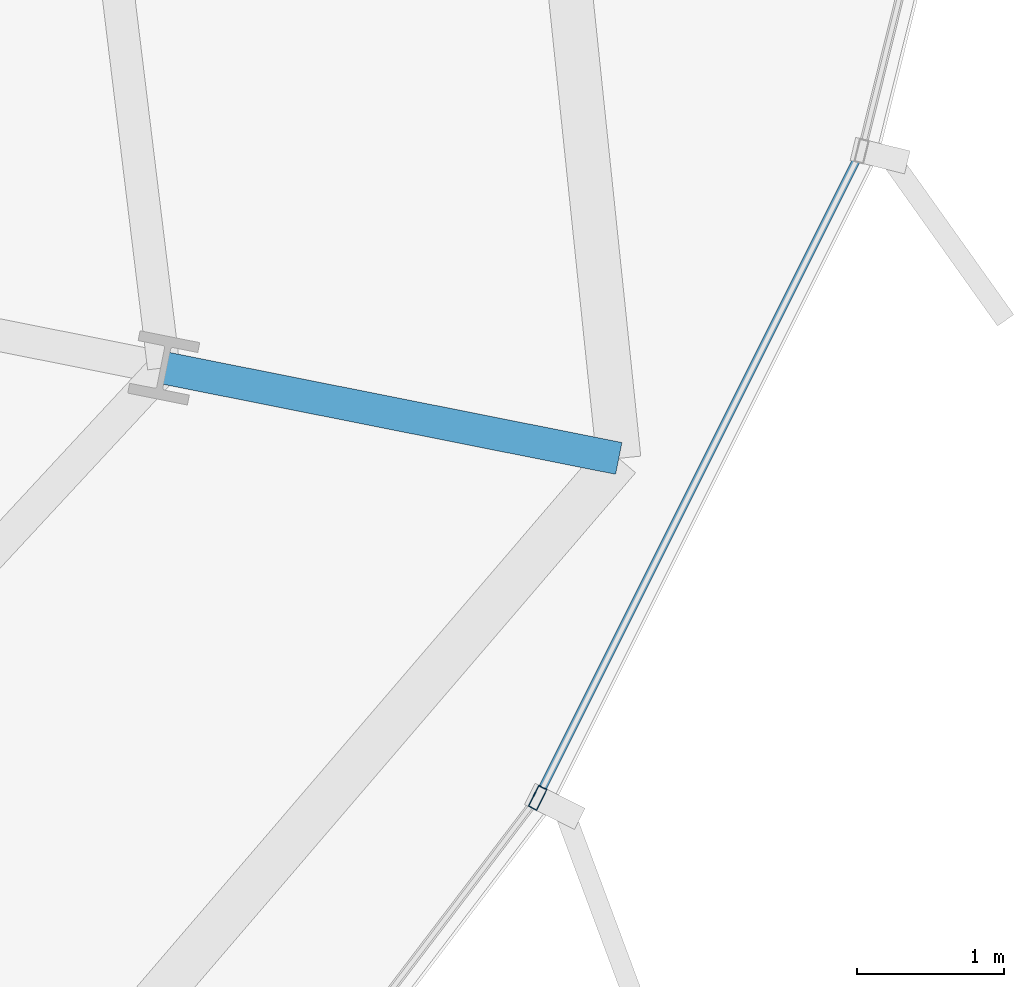
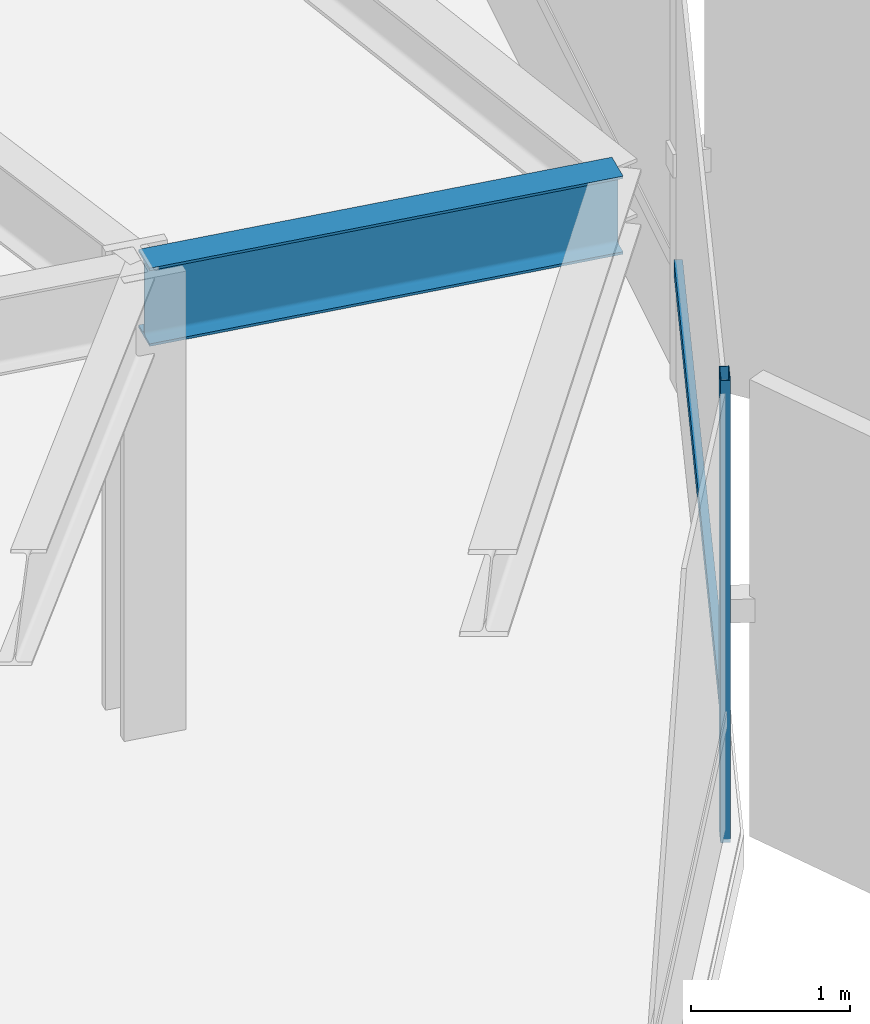
# One storey, part 16 of 38: 2 members, 1 beam, 1 element without a shape of its own.
"""IFC4 building model written with IfcOpenShell, lengths in metres."""

from ifc_helpers import new_model, si_unit, direction, frame, origin, origin_2d, place, context, subcontext, project, spatial, hollow_rectangle, i_section, extrude, source, transform, mapped, material, layer, layer_set, material_profile, profile_set, type_object, element, aggregate, save


model = new_model("IFC4")

# Units and contexts
model_context = context("Model", 3, precision=1e-05, world=origin(), true_north=direction((0.0, 1.0)))
body_context = subcontext(model_context, "Body", "Model", "MODEL_VIEW")
ifc_project = project(units=[si_unit("LENGTHUNIT", "METRE"), si_unit("AREAUNIT", "SQUARE_METRE"), si_unit("VOLUMEUNIT", "CUBIC_METRE"), si_unit("PLANEANGLEUNIT", "RADIAN"), si_unit("MASSUNIT", "GRAM", prefix="KILO"), si_unit("THERMODYNAMICTEMPERATUREUNIT", "KELVIN")], contexts=[model_context])

# Site, building, storey
site_placement = place(None, origin())
site = spatial("IfcSite", under=ifc_project, at=site_placement, CompositionType="ELEMENT")
building_placement = place(site_placement, origin())
building = spatial("IfcBuilding", under=site, at=building_placement, Name="Kethvar Cultural Tower", CompositionType="ELEMENT")
storey_placement = place(building_placement, frame((0.0, 0.0, 63.800048828125)))
storey = spatial("IfcBuildingStorey", under=building, at=storey_placement, Name="L15", CompositionType="ELEMENT", Elevation=63.800048828125)

# Beam
ifc_material_1 = material(Name="Steel S355J2", Category="steel")
ifc_material_profile_1 = material_profile(ifc_material_1, i_section(OverallWidth=0.219970703125, OverallDepth=0.60009765625, WebThickness=0.011962890625, FlangeThickness=0.01904296875, FilletRadius=0.02392578125, at=origin_2d()), Name="Steel S355J2 — IPE600")
ifc_profile_set_1 = profile_set([ifc_material_profile_1], Name="Steel S355J2 — IPE600")
beam_type = type_object("IfcBeamType", Name="BM-IPE600", PredefinedType="BEAM", material=ifc_profile_set_1)
shared_shape_1 = source(origin(), body_context, "Body", "SweptSolid", [
    extrude(i_section(OverallWidth=0.219970703125, OverallDepth=0.60009765625, WebThickness=0.011962890625, FlangeThickness=0.01904296875, FilletRadius=0.02392578125, at=origin_2d()), origin(), (0.0, 0.0, 1.0), 3.145751953125),
])
beam_placement = place(storey_placement, frame((74.9912109375, 22.1923828125, 3.248046875), z_axis=(0.980780165398, -0.19511603512, 0.0), x_axis=(0.19511603512, 0.980780165398, 0.0)))
element("IfcBeam", 1, at=beam_placement, inside=storey, type_object=beam_type, Name="L15 Perimeter Cantilever Beam RC-16", PredefinedType="BEAM", context=body_context, shape_type="MappedRepresentation", body=[
    mapped(shared_shape_1, transform((0.0, 0.0, 0.0), scale=1.0)),
])

# Curtain wall, members
ifc_material_2 = material(Name="Aluminium 6063-T6", Category="aluminium")
ifc_layer = layer(ifc_material_2, 0.179931640625, Name="Aluminium 6063-T6", Category="aluminium")
ifc_layer_set = layer_set([ifc_layer], Name="Aluminium 6063-T6 (180 mm)")
curtain_wall_type = type_object("IfcCurtainWallType", Name="CW-SYS-02-Z1", PredefinedType="NOTDEFINED", material=ifc_layer_set)
curtain_wall_placement = place(storey_placement, origin())
curtain_wall = element("IfcCurtainWall", 2, at=curtain_wall_placement, inside=storey, type_object=curtain_wall_type, Name="L15 Curtain Wall Run 06", PredefinedType="NOTDEFINED")
ifc_material_profile_2 = material_profile(ifc_material_2, hollow_rectangle(XDim=0.06494140625, YDim=0.159912109375, WallThickness=0.0048828125, at=origin_2d()), Name="Aluminium 6063-T6 — RHS160x65x5")
ifc_profile_set_2 = profile_set([ifc_material_profile_2], Name="Aluminium 6063-T6 — RHS160x65x5")
member_type_1 = type_object("IfcMemberType", Name="CW-SYS-02-Z1-MUL", PredefinedType="MULLION", material=ifc_profile_set_2)
shared_shape_2 = source(origin(), body_context, "Body", "SweptSolid", [
    extrude(hollow_rectangle(XDim=0.06494140625, YDim=0.159912109375, WallThickness=0.0048828125, at=origin_2d()), origin(), (0.0, 0.0, 1.0), 3.550048828125),
])
member_1_placement = place(storey_placement, frame((77.526611328125, 19.277099609375, 0.0), z_axis=(0.0, 0.0, 1.0), x_axis=(-0.894419784983, 0.447228407228, 0.0)))
member_1 = element("IfcMember", 3, at=member_1_placement, type_object=member_type_1, Name="CW-L15-R06 Mullion 4", PredefinedType="MULLION", context=body_context, shape_type="MappedRepresentation", body=[
    mapped(shared_shape_2, transform((0.0, 0.0, 0.0), scale=1.0)),
])
ifc_material_profile_3 = material_profile(ifc_material_2, hollow_rectangle(XDim=0.054931640625, YDim=0.1201171875, WallThickness=0.00390625, at=origin_2d()), Name="Aluminium 6063-T6 — RHS120x55x4")
ifc_profile_set_3 = profile_set([ifc_material_profile_3], Name="Aluminium 6063-T6 — RHS120x55x4")
member_type_2 = type_object("IfcMemberType", Name="CW-SYS-02-Z1-TRN", PredefinedType="USERDEFINED", material=ifc_profile_set_3)
shared_shape_3 = source(origin(), body_context, "Body", "SweptSolid", [
    extrude(hollow_rectangle(XDim=0.054931640625, YDim=0.1201171875, WallThickness=0.00390625, at=origin_2d()), origin(), (0.0, 0.0, 1.0), 4.837158203125),
])
member_2_placement = place(storey_placement, frame((77.547607421875, 19.319091796875, 0.949951171875), z_axis=(0.447233784249, 0.894417096341, 0.0), x_axis=(-0.894417096341, 0.447233784249, 0.0)))
member_2 = element("IfcMember", 4, at=member_2_placement, type_object=member_type_2, Name="CW-L15-R06 Transom 4", ObjectType="TRANSOM", PredefinedType="USERDEFINED", context=body_context, shape_type="MappedRepresentation", body=[
    mapped(shared_shape_3, transform((0.0, 0.0, 0.0), scale=1.0)),
])
aggregate(curtain_wall, [member_1, member_2])

save(model, "model.ifc")
